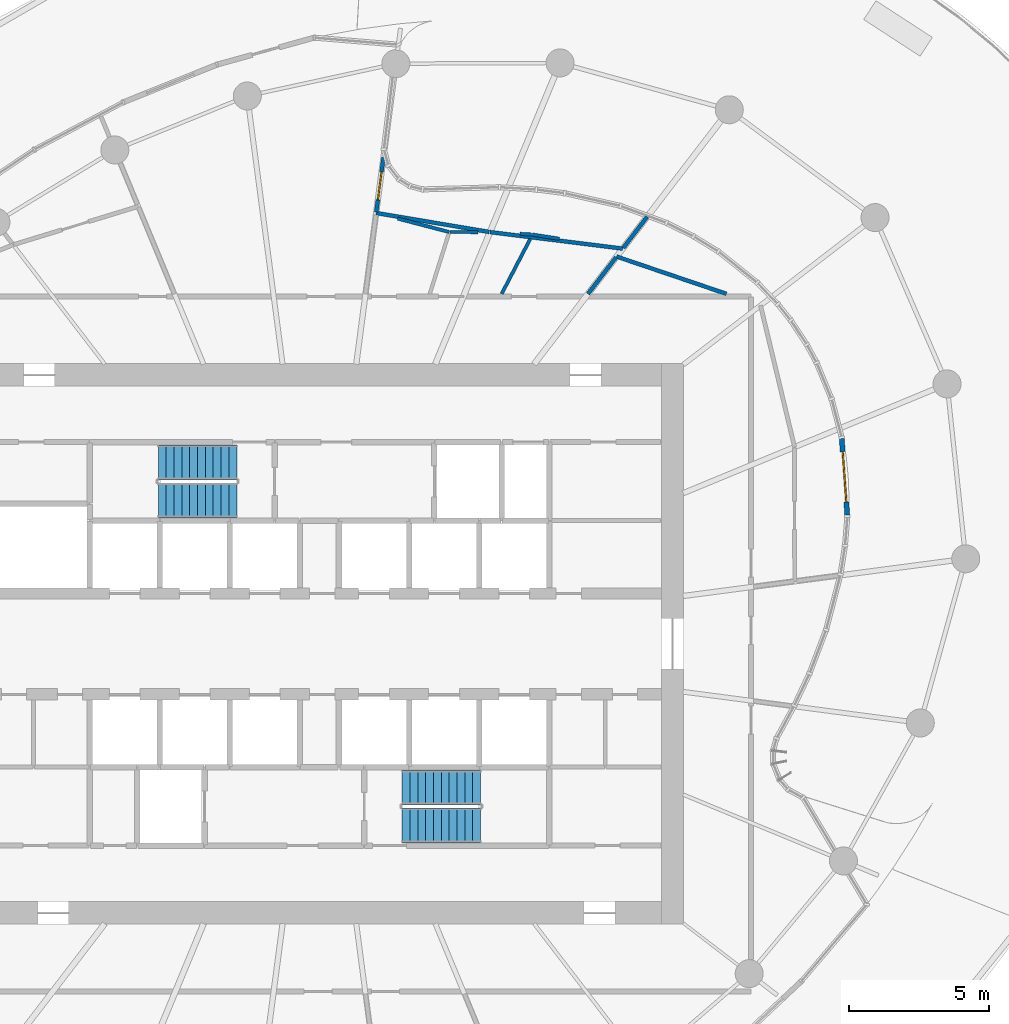
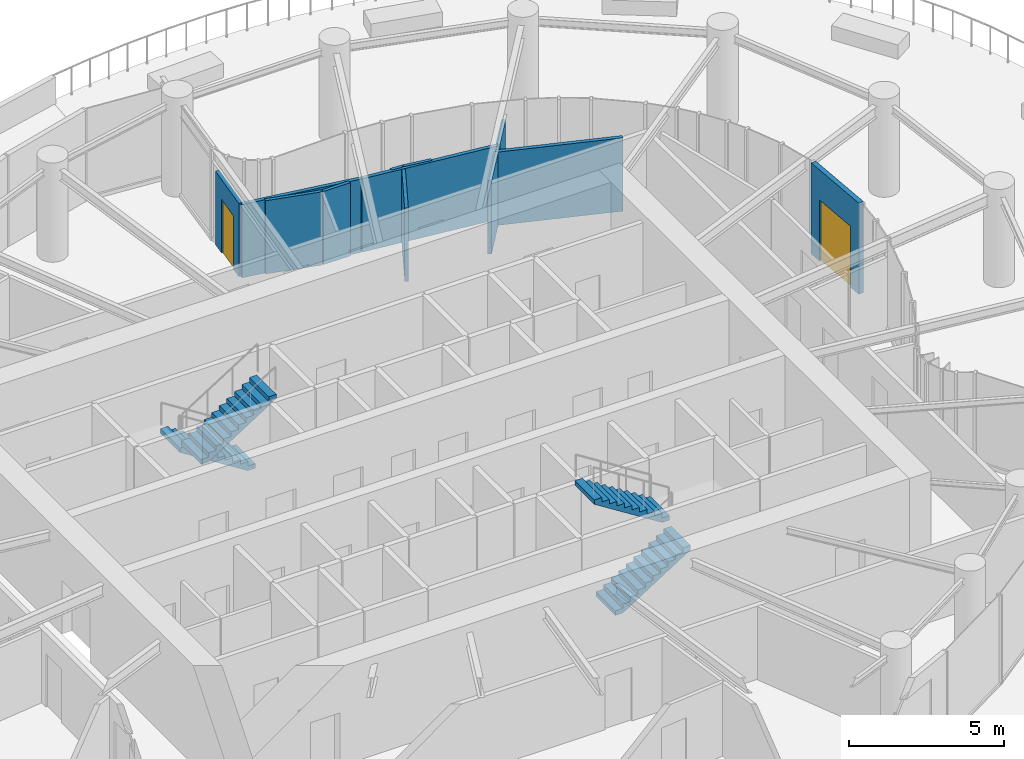
# One storey, part 17 of 21: 12 walls, 4 stair flights, 2 doors, 2 openings, 2 elements without a shape of their own.
"""IFC4 building model written with IfcOpenShell, lengths in metres."""

from ifc_helpers import new_model, si_unit, direction, frame, frame_2d, origin, place, context, subcontext, project, spatial, line, indexed_curve, rectangle, outline, extrude, source, transform, mapped, material, layer, layer_set, type_object, element, fill, aggregate, save


model = new_model("IFC4")

# Units and contexts
model_context = context("Model", 3, precision=1e-05, world=origin(), true_north=direction((0.0, 1.0)))
body_context = subcontext(model_context, "Body", "Model", "MODEL_VIEW")
ifc_project = project(units=[si_unit("LENGTHUNIT", "METRE"), si_unit("AREAUNIT", "SQUARE_METRE"), si_unit("VOLUMEUNIT", "CUBIC_METRE"), si_unit("PLANEANGLEUNIT", "RADIAN"), si_unit("MASSUNIT", "GRAM", prefix="KILO")], contexts=[model_context])

# Site, building, storey
site_placement = place(None, origin())
site = spatial("IfcSite", under=ifc_project, at=site_placement, CompositionType="ELEMENT")
building_placement = place(site_placement, origin())
building = spatial("IfcBuilding", under=site, at=building_placement, Name="Spindrift Exchange Tower", CompositionType="ELEMENT")
storey_placement = place(building_placement, frame((0.0, 0.0, 133.10009765625)))
storey = spatial("IfcBuildingStorey", under=building, at=storey_placement, Name="L31", CompositionType="ELEMENT", Elevation=133.10009765625)

# Wall, opening, door
ifc_material_1 = material(Name="Bronze anodised aluminium frame with fritted laminated glass spandrel", Category="aluminium")
ifc_layer_1 = layer(ifc_material_1, 0.179931640625)
ifc_layer_set_1 = layer_set([ifc_layer_1], Name="UNITISED FRAME WALL")
wall_type_1 = type_object("IfcWallType", Name="UNITISED FRAME WALL", PredefinedType="STANDARD", material=ifc_layer_set_1)
wall_1_placement = place(storey_placement, frame((70.836181640625, 52.593994140625, 0.0), z_axis=(0.0, 0.0, 1.0), x_axis=(-0.071747420295, 0.997422832945, 0.0)))
wall_1 = element("IfcWall", 1, at=wall_1_placement, inside=storey, type_object=wall_type_1, Name="L31 Frame Wall 40", PredefinedType="STANDARD", context=body_context, shape_type="SweptSolid", body=[
    extrude(rectangle(XDim=2.7392578125, YDim=0.179931640625, at=frame_2d((1.36962890625, 0.0))), origin(), (0.0, 0.0, 1.0), 3.579833984375),
])
opening_1_placement = place(wall_1_placement, frame((0.469482421875, 0.0, 0.0)))
opening_1 = element("IfcOpeningElement", 2, at=opening_1_placement, cuts=wall_1, Name="Opening ED31-1", PredefinedType="OPENING", context=body_context, shape_type="SweptSolid", body=[
    extrude(rectangle(XDim=1.800048828125, YDim=2.39990234375, at=frame_2d((0.89990234375, 1.199951171875))), frame((0.0, 0.099853515625, 0.0), z_axis=(0.0, -1.0, 0.0), x_axis=(1.0, 0.0, 0.0)), (0.0, 0.0, 1.0), 0.199951171875),
])
ifc_material_2 = material(Name="Toughened laminated glass in bronze frame", Category="glass")
door_type_1 = type_object("IfcDoorType", Name="TERRACE GLASS DOOR 1800X2400", OperationType="DOUBLE_DOOR_SINGLE_SWING", PredefinedType="DOOR", material=ifc_material_2)
shared_shape_1 = source(origin(), body_context, "Body", "SweptSolid", [
    extrude(rectangle(XDim=1.800048828125, YDim=2.39990234375, at=frame_2d((0.89990234375, 1.199951171875))), frame((0.0, 0.02490234375, 0.0), z_axis=(0.0, -1.0, 0.0), x_axis=(1.0, 0.0, 0.0)), (0.0, 0.0, 1.0), 0.050048828125),
])
door_1_placement = place(opening_1_placement, origin())
door_1 = element("IfcDoor", 3, at=door_1_placement, inside=storey, type_object=door_type_1, Name="L31 Terrace Glass Door ED31-1", OperationType="DOUBLE_DOOR_SINGLE_SWING", OverallHeight=2.39990234375, OverallWidth=1.800048828125, PredefinedType="DOOR", context=body_context, shape_type="MappedRepresentation", body=[
    mapped(shared_shape_1, transform((0.0, 0.0, 0.0), scale=1.0)),
])
fill(opening_1, door_1)

# Walls
ifc_material_3 = material(Name="Fire-rated plasterboard partition", Category="gypsum")
ifc_layer_2 = layer(ifc_material_3, 0.139892578125)
ifc_layer_set_2 = layer_set([ifc_layer_2], Name="W-PART-140")
wall_type_2 = type_object("IfcWallType", Name="W-PART-140", PredefinedType="PARTITIONING", material=ifc_layer_set_2)
wall_2_placement = place(storey_placement, frame((62.823486328125, 62.10546875, 0.0), z_axis=(0.0, 0.0, 1.0), x_axis=(-0.992341485201, 0.123524802163, 0.0)))
element("IfcWall", 4, at=wall_2_placement, inside=storey, type_object=wall_type_2, Name="L31 Partition wall 73", PredefinedType="PARTITIONING", context=body_context, shape_type="SweptSolid", body=[
    extrude(rectangle(XDim=4.773193359375, YDim=0.139892578125, at=frame_2d((2.38671875, 0.0))), origin(), (0.0, 0.0, 1.0), 2.8798828125),
])
wall_3_placement = place(storey_placement, frame((66.527099609375, 60.489990234375, 0.0), z_axis=(0.0, 0.0, 1.0), x_axis=(-0.946923916586, 0.321457767362, 0.0)))
element("IfcWall", 5, at=wall_3_placement, inside=storey, type_object=wall_type_2, Name="L31 Partition wall 77", PredefinedType="PARTITIONING", context=body_context, shape_type="SweptSolid", body=[
    extrude(rectangle(XDim=4.141357421875, YDim=0.139892578125, at=frame_2d((2.07080078125, 0.0))), origin(), (0.0, 0.0, 1.0), 2.8798828125),
])
wall_4_placement = place(storey_placement, frame((58.057373046875, 62.699951171875, 0.0), z_axis=(0.0, 0.0, 1.0), x_axis=(-0.986230466663, 0.165376741489, 0.0)))
element("IfcWall", 6, at=wall_4_placement, inside=storey, type_object=wall_type_2, Name="L31 Partition wall 81", PredefinedType="PARTITIONING", context=body_context, shape_type="SweptSolid", body=[
    extrude(rectangle(XDim=4.08935546875, YDim=0.139892578125, at=frame_2d((2.044677734375, 0.0))), origin(), (0.0, 0.0, 1.0), 2.8798828125),
])

# Wall, opening, door
wall_5_placement = place(storey_placement, frame((54.285400390625, 65.3603515625, 0.0), z_axis=(0.0, 0.0, 1.0), x_axis=(-0.130419269894, -0.9914589321, 0.0)))
wall_5 = element("IfcWall", 7, at=wall_5_placement, inside=storey, type_object=wall_type_2, Name="L31 Partition wall 91", PredefinedType="PARTITIONING", context=body_context, shape_type="SweptSolid", body=[
    extrude(rectangle(XDim=1.97119140625, YDim=0.139892578125, at=frame_2d((0.985595703125, 0.0))), origin(), (0.0, 0.0, 1.0), 2.8798828125),
])
opening_2_placement = place(wall_5_placement, frame((0.521240234375, 0.0, 0.0)))
opening_2 = element("IfcOpeningElement", 8, at=opening_2_placement, cuts=wall_5, Name="Opening L31-D35", PredefinedType="OPENING", context=body_context, shape_type="SweptSolid", body=[
    extrude(rectangle(XDim=1.0, YDim=2.10009765625, at=frame_2d((0.5, 1.050048828125))), frame((0.0, 0.079833984375, 0.0), z_axis=(0.0, -1.0, 0.0), x_axis=(1.0, 0.0, 0.0)), (0.0, 0.0, 1.0), 0.159912109375),
])
ifc_material_4 = material(Name="Timber-core fire door", Category="wood")
door_type_2 = type_object("IfcDoorType", Name="DR-ROOM-1000", OperationType="NOTDEFINED", PredefinedType="DOOR", material=ifc_material_4)
shared_shape_2 = source(origin(), body_context, "Body", "SweptSolid", [
    extrude(rectangle(XDim=1.0, YDim=2.10009765625, at=frame_2d((0.5, 1.050048828125))), frame((0.0, 0.02490234375, 0.0), z_axis=(0.0, -1.0, 0.0), x_axis=(1.0, 0.0, 0.0)), (0.0, 0.0, 1.0), 0.050048828125),
])
door_2_placement = place(opening_2_placement, origin())
door_2 = element("IfcDoor", 9, at=door_2_placement, inside=storey, type_object=door_type_2, Name="L31 Door 35", OperationType="SINGLE_SWING_RIGHT", OverallHeight=2.10009765625, OverallWidth=1.0, PredefinedType="DOOR", context=body_context, shape_type="MappedRepresentation", body=[
    mapped(shared_shape_2, transform((0.0, 0.0, 0.0), scale=1.0)),
])
fill(opening_2, door_2)

# Walls
wall_6_placement = place(storey_placement, frame((61.583984375, 60.489990234375, 0.0), z_axis=(0.0, 0.0, 1.0), x_axis=(0.608758070133, 0.793355917636, 0.0)))
element("IfcWall", 10, at=wall_6_placement, inside=storey, type_object=wall_type_2, Name="L31 Partition wall 96", PredefinedType="PARTITIONING", context=body_context, shape_type="SweptSolid", body=[
    extrude(rectangle(XDim=1.64794921875, YDim=0.139892578125, at=frame_2d((0.823974609375, 0.0))), origin(), (0.0, 0.0, 1.0), 2.8798828125),
])
wall_7_placement = place(storey_placement, frame((62.841796875, 62.129150390625, 0.0), z_axis=(0.0, 0.0, 1.0), x_axis=(0.608734731497, 0.793373825299, 0.0)))
element("IfcWall", 11, at=wall_7_placement, inside=storey, type_object=wall_type_2, Name="L31 Partition wall 101", PredefinedType="PARTITIONING", context=body_context, shape_type="SweptSolid", body=[
    extrude(rectangle(XDim=1.40283203125, YDim=0.139892578125, at=frame_2d((0.701416015625, 0.0))), origin(), (0.0, 0.0, 1.0), 2.8798828125),
])
ifc_layer_3 = layer(ifc_material_3, 0.1201171875)
ifc_layer_set_3 = layer_set([ifc_layer_3], Name="W-WET-120")
wall_type_3 = type_object("IfcWallType", Name="W-WET-120", PredefinedType="PARTITIONING", material=ifc_layer_set_3)
wall_8_placement = place(storey_placement, frame((60.563232421875, 62.457275390625, 0.0), z_axis=(0.0, 0.0, 1.0), x_axis=(-0.98809099795, 0.153870659223, 0.0)))
element("IfcWall", 12, at=wall_8_placement, inside=storey, type_object=wall_type_3, Name="L31 Partition wall 114", PredefinedType="PARTITIONING", context=body_context, shape_type="SweptSolid", body=[
    extrude(rectangle(XDim=0.970947265625, YDim=0.1201171875, at=frame_2d((0.4853515625, 0.0))), origin(), (0.0, 0.0, 1.0), 2.8798828125),
])
wall_9_placement = place(storey_placement, frame((56.6337890625, 62.69677734375, 0.0), z_axis=(0.0, 0.0, 1.0), x_axis=(-0.967721956085, 0.252020268452, 0.0)))
element("IfcWall", 13, at=wall_9_placement, inside=storey, type_object=wall_type_3, Name="L31 Partition wall 115", PredefinedType="PARTITIONING", context=body_context, shape_type="SweptSolid", body=[
    extrude(rectangle(XDim=1.905517578125, YDim=0.1201171875, at=frame_2d((0.95263671875, 0.0))), origin(), (0.0, 0.0, 1.0), 2.8798828125),
])
wall_10_placement = place(storey_placement, frame((58.501953125, 60.489990234375, 0.0), z_axis=(0.0, 0.0, 1.0), x_axis=(0.461767496619, 0.887001002855, 0.0)))
element("IfcWall", 14, at=wall_10_placement, inside=storey, type_object=wall_type_3, Name="L31 Partition wall 117", PredefinedType="PARTITIONING", context=body_context, shape_type="SweptSolid", body=[
    extrude(rectangle(XDim=2.205322265625, YDim=0.1201171875, at=frame_2d((1.1025390625, 0.0))), origin(), (0.0, 0.0, 1.0), 2.8798828125),
])
wall_11_placement = place(storey_placement, frame((59.57373046875, 62.6083984375, 0.0), z_axis=(0.0, 0.0, 1.0), x_axis=(-0.998298182331, 0.058315856805, 0.0)))
element("IfcWall", 15, at=wall_11_placement, inside=storey, type_object=wall_type_3, Name="L31 Partition wall 118", PredefinedType="PARTITIONING", context=body_context, shape_type="SweptSolid", body=[
    extrude(rectangle(XDim=0.4228515625, YDim=0.1201171875, at=frame_2d((0.21142578125, 0.0))), origin(), (0.0, 0.0, 1.0), 2.8798828125),
])
wall_12_placement = place(storey_placement, frame((57.66064453125, 62.695556640625, 0.0), z_axis=(0.0, 0.0, 1.0), x_axis=(-0.999999520122, 0.00097967134, 0.0)))
element("IfcWall", 16, at=wall_12_placement, inside=storey, type_object=wall_type_3, Name="L31 Partition wall 119", PredefinedType="PARTITIONING", context=body_context, shape_type="SweptSolid", body=[
    extrude(rectangle(XDim=0.996826171875, YDim=0.1201171875, at=frame_2d((0.49853515625, 0.0))), origin(), (0.0, 0.0, 1.0), 2.8798828125),
])

# Stair, stair flights
ifc_material_5 = material(Name="Concrete 50 MPa", Category="concrete")
stair_type = type_object("IfcStairType", Name="ST-1250-R177", PredefinedType="HALF_TURN_STAIR", material=ifc_material_5)
stair_1_placement = place(storey_placement, origin())
stair_1 = element("IfcStair", 17, at=stair_1_placement, inside=storey, type_object=stair_type, Name="L31 Exit stair ST1", PredefinedType="HALF_TURN_STAIR")
stair_flight_type = type_object("IfcStairFlightType", Name="STF-1250-R177", PredefinedType="STRAIGHT", material=ifc_material_5)
stair_flight_1_placement = place(storey_placement, frame((49.050048828125, 54.47509765625, 0.0), z_axis=(0.0, 0.0, 1.0), x_axis=(-1.0, 0.0, 0.0)))
stair_flight_1 = element("IfcStairFlight", 18, at=stair_flight_1_placement, type_object=stair_flight_type, Name="ST1 flight 1", NumberOfRisers=11, NumberOfTreads=10, PredefinedType="STRAIGHT", RiserHeight=0.177272727, TreadLength=0.28, context=body_context, shape_type="SweptSolid", body=[
    extrude(outline(indexed_curve([(0.0, 0.0), (0.0, 0.177734375), (0.2802734375, 0.177734375), (0.2802734375, 0.3544921875), (0.5595703125, 0.3544921875), (0.5595703125, 0.5322265625), (0.83984375, 0.5322265625), (0.83984375, 0.708984375), (1.1201171875, 0.708984375), (1.1201171875, 0.88671875), (1.400390625, 0.88671875), (1.400390625, 1.0634765625), (1.6796875, 1.0634765625), (1.6796875, 1.2412109375), (1.9599609375, 1.2412109375), (1.9599609375, 1.41796875), (2.240234375, 1.41796875), (2.240234375, 1.595703125), (2.51953125, 1.595703125), (2.51953125, 1.7724609375), (2.7998046875, 1.7724609375), (2.7998046875, 1.9501953125), (2.7998046875, 1.595703125), (0.2802734375, 0.0)], segments=[line(1, 2, 3, 4, 5, 6, 7, 8, 9, 10, 11, 12, 13, 14, 15, 16, 17, 18, 19, 20, 21, 22, 23, 24, 1)], self_intersect=False)), frame((0.0, 0.625, 0.0), z_axis=(0.0, -1.0, 0.0), x_axis=(1.0, 0.0, 0.0)), (0.0, 0.0, 1.0), 1.25),
])
stair_flight_2_placement = place(storey_placement, frame((46.25, 53.125, 1.949951171875), z_axis=(0.0, 0.0, 1.0), x_axis=(1.0, 0.0, 0.0)))
stair_flight_2 = element("IfcStairFlight", 19, at=stair_flight_2_placement, type_object=stair_flight_type, Name="ST1 flight 2", NumberOfRisers=11, NumberOfTreads=10, PredefinedType="STRAIGHT", RiserHeight=0.177272727, TreadLength=0.28, context=body_context, shape_type="SweptSolid", body=[
    extrude(outline(indexed_curve([(0.0, 0.0), (0.0, 0.177734375), (0.2802734375, 0.177734375), (0.2802734375, 0.3544921875), (0.5595703125, 0.3544921875), (0.5595703125, 0.5322265625), (0.83984375, 0.5322265625), (0.83984375, 0.708984375), (1.1201171875, 0.708984375), (1.1201171875, 0.88671875), (1.400390625, 0.88671875), (1.400390625, 1.0634765625), (1.6796875, 1.0634765625), (1.6796875, 1.2412109375), (1.9599609375, 1.2412109375), (1.9599609375, 1.41796875), (2.240234375, 1.41796875), (2.240234375, 1.595703125), (2.51953125, 1.595703125), (2.51953125, 1.7724609375), (2.7998046875, 1.7724609375), (2.7998046875, 1.9501953125), (2.7998046875, 1.595703125), (0.2802734375, 0.0)], segments=[line(1, 2, 3, 4, 5, 6, 7, 8, 9, 10, 11, 12, 13, 14, 15, 16, 17, 18, 19, 20, 21, 22, 23, 24, 1)], self_intersect=False)), frame((0.0, 0.625, 0.0), z_axis=(0.0, -1.0, 0.0), x_axis=(1.0, 0.0, 0.0)), (0.0, 0.0, 1.0), 1.25),
])
aggregate(stair_1, [stair_flight_1, stair_flight_2])

stair_2_placement = place(storey_placement, origin())
stair_2 = element("IfcStair", 20, at=stair_2_placement, inside=storey, type_object=stair_type, Name="L31 Exit stair ST2", PredefinedType="HALF_TURN_STAIR")
stair_flight_3_placement = place(storey_placement, frame((54.949951171875, 41.52490234375, 0.0), z_axis=(0.0, 0.0, 1.0), x_axis=(1.0, 0.0, 0.0)))
stair_flight_3 = element("IfcStairFlight", 21, at=stair_flight_3_placement, type_object=stair_flight_type, Name="ST2 flight 1", NumberOfRisers=11, NumberOfTreads=10, PredefinedType="STRAIGHT", RiserHeight=0.177272727, TreadLength=0.28, context=body_context, shape_type="SweptSolid", body=[
    extrude(outline(indexed_curve([(0.0, 0.0), (0.0, 0.177734375), (0.2802734375, 0.177734375), (0.2802734375, 0.3544921875), (0.5595703125, 0.3544921875), (0.5595703125, 0.5322265625), (0.83984375, 0.5322265625), (0.83984375, 0.708984375), (1.1201171875, 0.708984375), (1.1201171875, 0.88671875), (1.400390625, 0.88671875), (1.400390625, 1.0634765625), (1.6796875, 1.0634765625), (1.6796875, 1.2412109375), (1.9599609375, 1.2412109375), (1.9599609375, 1.41796875), (2.240234375, 1.41796875), (2.240234375, 1.595703125), (2.51953125, 1.595703125), (2.51953125, 1.7724609375), (2.7998046875, 1.7724609375), (2.7998046875, 1.9501953125), (2.7998046875, 1.595703125), (0.2802734375, 0.0)], segments=[line(1, 2, 3, 4, 5, 6, 7, 8, 9, 10, 11, 12, 13, 14, 15, 16, 17, 18, 19, 20, 21, 22, 23, 24, 1)], self_intersect=False)), frame((0.0, 0.625, 0.0), z_axis=(0.0, -1.0, 0.0), x_axis=(1.0, 0.0, 0.0)), (0.0, 0.0, 1.0), 1.25),
])
stair_flight_4_placement = place(storey_placement, frame((57.75, 42.875, 1.949951171875), z_axis=(0.0, 0.0, 1.0), x_axis=(-1.0, 0.0, 0.0)))
stair_flight_4 = element("IfcStairFlight", 22, at=stair_flight_4_placement, type_object=stair_flight_type, Name="ST2 flight 2", NumberOfRisers=11, NumberOfTreads=10, PredefinedType="STRAIGHT", RiserHeight=0.177272727, TreadLength=0.28, context=body_context, shape_type="SweptSolid", body=[
    extrude(outline(indexed_curve([(0.0, 0.0), (0.0, 0.177734375), (0.2802734375, 0.177734375), (0.2802734375, 0.3544921875), (0.5595703125, 0.3544921875), (0.5595703125, 0.5322265625), (0.83984375, 0.5322265625), (0.83984375, 0.708984375), (1.1201171875, 0.708984375), (1.1201171875, 0.88671875), (1.400390625, 0.88671875), (1.400390625, 1.0634765625), (1.6796875, 1.0634765625), (1.6796875, 1.2412109375), (1.9599609375, 1.2412109375), (1.9599609375, 1.41796875), (2.240234375, 1.41796875), (2.240234375, 1.595703125), (2.51953125, 1.595703125), (2.51953125, 1.7724609375), (2.7998046875, 1.7724609375), (2.7998046875, 1.9501953125), (2.7998046875, 1.595703125), (0.2802734375, 0.0)], segments=[line(1, 2, 3, 4, 5, 6, 7, 8, 9, 10, 11, 12, 13, 14, 15, 16, 17, 18, 19, 20, 21, 22, 23, 24, 1)], self_intersect=False)), frame((0.0, 0.625, 0.0), z_axis=(0.0, -1.0, 0.0), x_axis=(1.0, 0.0, 0.0)), (0.0, 0.0, 1.0), 1.25),
])
aggregate(stair_2, [stair_flight_3, stair_flight_4])

save(model, "model.ifc")
